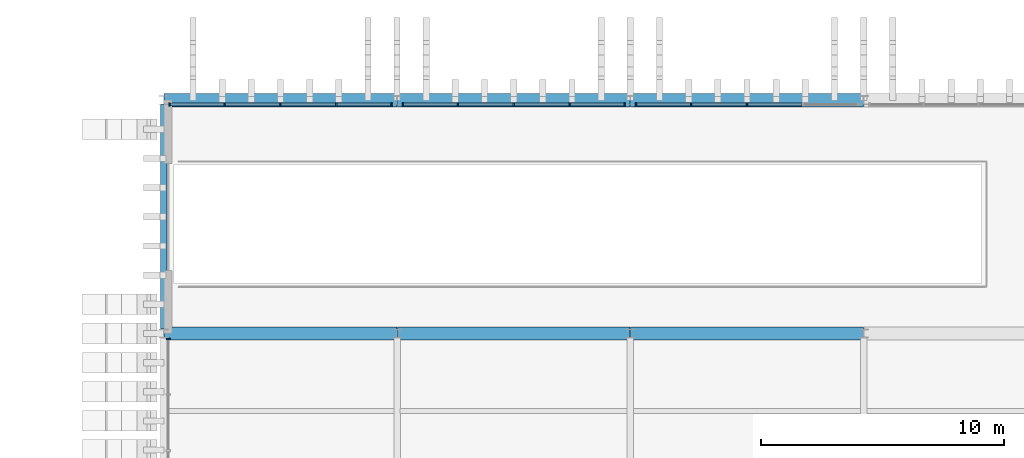
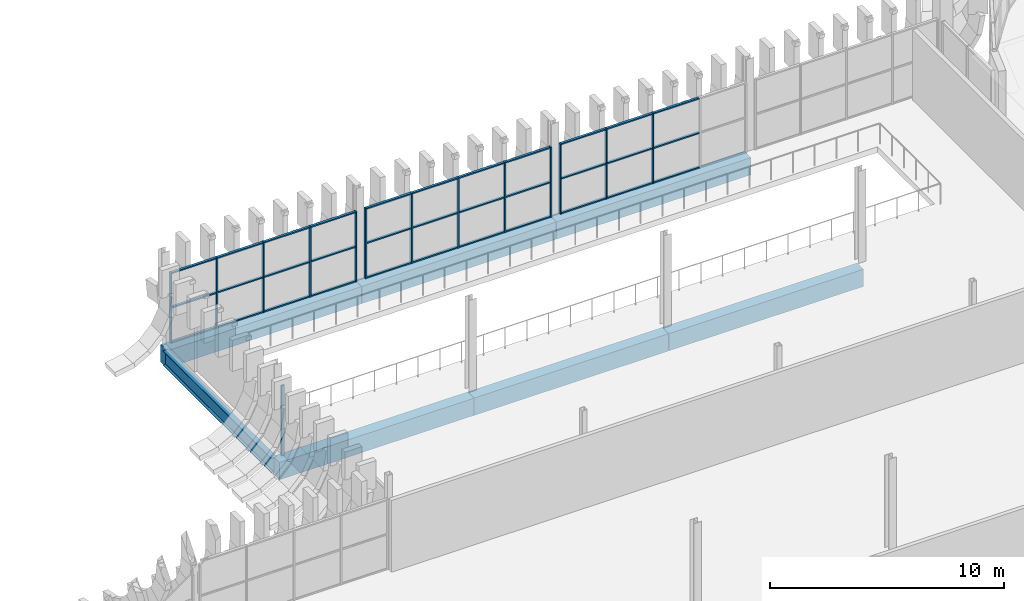
# One storey, part 25 of 100: 47 members, 7 beams, 4 elements without a shape of their own.
"""IFC4 building model written with IfcOpenShell, lengths in metres."""

import ifcopenshell
import ifcopenshell.guid

model = None  # the IFC model being written
_history = None  # IfcOwnerHistory: only IFC2X3 demands one
_inside = {}  # id of a spatial element -> (the spatial element, [elements in it])
_under = {}  # id of a project, library or spatial element -> (it, [spatial elements below it])
_declared = {}  # id of a project -> (the project, [libraries it declares])
_typed = {}  # id of a type object -> (the type object, [elements of that type])
_made_of = {}  # id of a material, layer set ... -> (it, [elements and type objects made of it])


def new_model(schema):
    """Start an empty IFC model of exactly this schema.

    Asked for "IFC4X3", IfcOpenShell would pick the latest addendum, in which some entities
    have other attributes; the version numbers below select the first issue.
    IFC2X3 requires an IfcOwnerHistory on every rooted entity: one is made here for all.
    """
    global model, _history
    if schema == "IFC4X3":
        model = ifcopenshell.file(schema_version=(4, 3, 0, 0))
    else:
        model = ifcopenshell.file(schema=schema)
    _inside.clear()
    _under.clear()
    _declared.clear()
    _typed.clear()
    _made_of.clear()
    _history = None
    if model.schema == "IFC2X3":
        org = make("IfcOrganization", Name="unknown")
        user = make(
            "IfcPersonAndOrganization",
            ThePerson=make("IfcPerson", FamilyName="unknown"),
            TheOrganization=org,
        )
        app = make(
            "IfcApplication",
            ApplicationDeveloper=org,
            Version="unknown",
            ApplicationFullName="unknown",
            ApplicationIdentifier="unknown",
        )
        _history = make(
            "IfcOwnerHistory",
            OwningUser=user,
            OwningApplication=app,
            ChangeAction="ADDED",
            CreationDate=0,
        )
    return model


def make(cls, **values):
    """One entity of the class cls with the attributes given. An attribute that is None is left unset."""
    return model.create_entity(
        cls, **{name: value for name, value in values.items() if value is not None}
    )


def rooted(cls, **values):
    """An entity with a GlobalId (a new one), such as an element, a storey or a relation."""
    return make(cls, GlobalId=ifcopenshell.guid.new(), OwnerHistory=_history, **values)


def si_unit(unit_type, name, prefix=None):
    """IfcSIUnit, for example si_unit("LENGTHUNIT", "METRE", prefix="MILLI")."""
    return make("IfcSIUnit", UnitType=unit_type, Prefix=prefix, Name=name)


def assignment(units):
    """IfcUnitAssignment: the units of a project."""
    return None if units is None else make("IfcUnitAssignment", Units=units)


def point(xyz):
    """IfcCartesianPoint."""
    return None if xyz is None else make("IfcCartesianPoint", Coordinates=xyz)


def direction(xyz):
    """IfcDirection."""
    return None if xyz is None else make("IfcDirection", DirectionRatios=xyz)


def frame(location, z_axis=None, x_axis=None):
    """IfcAxis2Placement3D, a coordinate frame: its origin and axes. An axis left out is left unset."""
    return make(
        "IfcAxis2Placement3D",
        Location=point(location),
        Axis=direction(z_axis),
        RefDirection=direction(x_axis),
    )


def frame_2d(location, x_axis=None):
    """IfcAxis2Placement2D, a coordinate frame in the plane: its origin and x axis."""
    return make(
        "IfcAxis2Placement2D", Location=point(location), RefDirection=direction(x_axis)
    )


def origin():
    """The frame at (0, 0, 0) with its axes left unset."""
    return frame((0.0, 0.0, 0.0))


def origin_2d():
    """The frame at (0, 0) in the plane with its x axis left unset."""
    return frame_2d((0.0, 0.0))


def place(relative_to, where):
    """IfcLocalPlacement: puts the frame where relative to a parent placement (None: the world)."""
    return make(
        "IfcLocalPlacement", PlacementRelTo=relative_to, RelativePlacement=where
    )


def context(
    kind, dimensions, precision=None, world=None, true_north=None, identifier=None
):
    """IfcGeometricRepresentationContext, for example the 3D "Model" context."""
    return make(
        "IfcGeometricRepresentationContext",
        ContextIdentifier=identifier,
        ContextType=kind,
        CoordinateSpaceDimension=dimensions,
        Precision=precision,
        WorldCoordinateSystem=world,
        TrueNorth=true_north,
    )


def subcontext(parent, identifier, kind, view, scale=None):
    """IfcGeometricRepresentationSubContext, for example "Body" below "Model"."""
    return make(
        "IfcGeometricRepresentationSubContext",
        ContextIdentifier=identifier,
        ContextType=kind,
        ParentContext=parent,
        TargetScale=scale,
        TargetView=view,
    )


def project(units=None, contexts=None):
    """IfcProject with its units and contexts."""
    return rooted(
        "IfcProject",
        Name="project",
        RepresentationContexts=contexts,
        UnitsInContext=assignment(units),
    )


def spatial(cls, under=None, at=None, **own):
    """A site, building, storey or space (cls), placed at a placement, below another one or the project."""
    s = rooted(cls, ObjectPlacement=at, **own)
    if under is not None:
        _under.setdefault(under.id(), (under, []))[1].append(s)
    return s


def profile(cls, at=None, kind="AREA", **sizes):
    """A parametric profile (cls). Its sizes go by their IFC names, for example OverallWidth=200.0."""
    return make(cls, ProfileType=kind, Position=at, **sizes)


def rectangle(**sizes):
    """IfcRectangleProfileDef."""
    return profile("IfcRectangleProfileDef", **sizes)


def i_section(**sizes):
    """IfcIShapeProfileDef."""
    return profile("IfcIShapeProfileDef", **sizes)


def extrude(swept, where, along, depth):
    """IfcExtrudedAreaSolid: the profile swept, set in the frame where, extruded along a direction by depth."""
    return make(
        "IfcExtrudedAreaSolid",
        SweptArea=swept,
        Position=where,
        ExtrudedDirection=direction(along),
        Depth=depth,
    )


def shape(context_of_items, identifier, shape_type, items):
    """IfcShapeRepresentation: the items that make up one representation, for example the "Body"."""
    return make(
        "IfcShapeRepresentation",
        ContextOfItems=context_of_items,
        RepresentationIdentifier=identifier,
        RepresentationType=shape_type,
        Items=items,
    )


def material(Name=None, Category=None):
    """IfcMaterial."""
    return make("IfcMaterial", Name=Name, Category=Category)


def layer(
    of_material, thickness, ventilated=None, Name=None, Category=None, Priority=None
):
    """IfcMaterialLayer: one layer of a wall or slab, of a material (None: an air gap)."""
    return make(
        "IfcMaterialLayer",
        Material=of_material,
        LayerThickness=thickness,
        IsVentilated=ventilated,
        Name=Name,
        Category=Category,
        Priority=Priority,
    )


def layer_set(layers, Name=None):
    """IfcMaterialLayerSet."""
    return make("IfcMaterialLayerSet", MaterialLayers=layers, LayerSetName=Name)


def material_profile(
    of_material, cross_section, Name=None, Category=None, Priority=None
):
    """IfcMaterialProfile: a cross section and its material."""
    return make(
        "IfcMaterialProfile",
        Name=Name,
        Material=of_material,
        Profile=cross_section,
        Priority=Priority,
        Category=Category,
    )


def profile_set(profiles, Name=None, composite=None):
    """IfcMaterialProfileSet."""
    return make(
        "IfcMaterialProfileSet",
        Name=Name,
        MaterialProfiles=profiles,
        CompositeProfile=composite,
    )


def made_of(thing, what):
    """Note that an element or type object is made of a material, layer set ...; save() writes the relation."""
    if what is not None:
        _made_of.setdefault(what.id(), (what, []))[1].append(thing)
    return thing


def type_object(cls, material=None, **own):
    """A type object (cls), such as IfcWallType, which elements share."""
    return made_of(rooted(cls, **own), material)


def element(
    cls,
    number,
    at=None,
    inside=None,
    cuts=None,
    type_object=None,
    material=None,
    context=None,
    identifier="Body",
    shape_type=None,
    held_by="IfcProductDefinitionShape",
    body=None,
    shapes=None,
    **own,
):
    """One element of the class cls, such as IfcWall. Its Tag is "e" and its number.

    at: its placement. inside: the storey or other place that contains it. cuts: it is an
    opening in that element (IfcRelVoidsElement). A single representation is given by context,
    identifier, shape_type and body (its items); several are given by shapes. held_by: the class
    of the entity that holds the representations. save() writes the other relations.
    """
    e = rooted(cls, Tag="e%d" % number, ObjectPlacement=at, **own)
    if body is not None:
        shapes = [shape(context, identifier, shape_type, body)]
    if shapes is not None:
        e.Representation = make(held_by, Representations=shapes)
    if inside is not None:
        _inside.setdefault(inside.id(), (inside, []))[1].append(e)
    if cuts is not None:
        rooted(
            "IfcRelVoidsElement", RelatingBuildingElement=cuts, RelatedOpeningElement=e
        )
    if type_object is not None:
        _typed.setdefault(type_object.id(), (type_object, []))[1].append(e)
    return made_of(e, material)


def aggregate(whole, parts):
    """IfcRelAggregates: a whole, such as a stair, and the parts it consists of."""
    return rooted("IfcRelAggregates", RelatingObject=whole, RelatedObjects=parts)


def save(model, path):
    """Write the relations noted so far, then the file.

    IfcRelAggregates (storeys below a building ...), IfcRelContainedInSpatialStructure (elements
    in a storey), IfcRelDefinesByType, IfcRelAssociatesMaterial and IfcRelDeclares: one each for
    every whole, place, type object, material and project.
    """
    for whole, parts in _under.values():
        aggregate(whole, parts)
    for where, things in _inside.values():
        rooted(
            "IfcRelContainedInSpatialStructure",
            RelatedElements=things,
            RelatingStructure=where,
        )
    for kind, things in _typed.values():
        rooted("IfcRelDefinesByType", RelatedObjects=things, RelatingType=kind)
    for what, things in _made_of.values():
        rooted("IfcRelAssociatesMaterial", RelatedObjects=things, RelatingMaterial=what)
    for by, libraries in _declared.values():
        rooted("IfcRelDeclares", RelatingContext=by, RelatedDefinitions=libraries)
    model.write(path)


model = new_model("IFC4")

# Units and contexts
model_context = context("Model", 3, precision=1e-05, world=origin(), true_north=direction((0.0, 1.0)))
body_context = subcontext(model_context, "Body", "Model", "MODEL_VIEW")
ifc_project = project(units=[si_unit("LENGTHUNIT", "METRE"), si_unit("AREAUNIT", "SQUARE_METRE"), si_unit("VOLUMEUNIT", "CUBIC_METRE"), si_unit("PLANEANGLEUNIT", "RADIAN"), si_unit("MASSUNIT", "GRAM", prefix="KILO")], contexts=[model_context])

# Site, building, storey
site_placement = place(None, origin())
site = spatial("IfcSite", under=ifc_project, at=site_placement, CompositionType="ELEMENT")
building_placement = place(site_placement, origin())
building = spatial("IfcBuilding", under=site, at=building_placement, Name="Caelomonte Colonnade Arena", CompositionType="ELEMENT")
storey_placement = place(building_placement, origin())
storey = spatial("IfcBuildingStorey", under=building, at=storey_placement, Name="L00", CompositionType="ELEMENT", Elevation=0.0)

# Curtain wall, members
ifc_material_1 = material(Name="Bronze anodised aluminium and low-E glazing", Category="aluminium")
ifc_layer = layer(ifc_material_1, 0.179931640625)
ifc_layer_set = layer_set([ifc_layer], Name="Bronze anodised aluminium and low-E glazing")
curtain_wall_type = type_object("IfcCurtainWallType", Name="ENV-CW-CW-L00-96-37", PredefinedType="USERDEFINED", material=ifc_layer_set)
curtain_wall_1_placement = place(storey_placement, origin())
curtain_wall_1 = element("IfcCurtainWall", 1, at=curtain_wall_1_placement, inside=storey, type_object=curtain_wall_type, Name="L00 unitized curtain wall CW-L00-0432-1054", ObjectType="UNITIZED CURTAIN WALL", PredefinedType="USERDEFINED")
ifc_material_2 = material(Name="Bronze anodised aluminium AA6063-T6", Category="aluminium")
ifc_material_profile_1 = material_profile(ifc_material_2, rectangle(XDim=0.06494140625, YDim=0.14990234375, at=origin_2d()), Name="CWM-65X150")
ifc_profile_set_1 = profile_set([ifc_material_profile_1], Name="Bronze anodised aluminium AA6063-T6")
member_type_1 = type_object("IfcMemberType", Name="ENV-CW-MULL2", PredefinedType="MULLION", material=ifc_profile_set_1)
member_1_placement = place(storey_placement, frame((43.199951171875, 105.419921875, 0.0), z_axis=(0.0, 0.0, 1.0), x_axis=(-1.0, 0.0, 0.0)))
member_1 = element("IfcMember", 2, at=member_1_placement, type_object=member_type_1, Name="CW-L00-96-37 mullion 3", PredefinedType="MULLION", context=body_context, shape_type="SweptSolid", body=[
    extrude(rectangle(XDim=0.06494140625, YDim=0.14990234375, at=origin_2d()), origin(), (0.0, 0.0, 1.0), 3.664306640625),
])
member_2_placement = place(storey_placement, frame((40.902099609375, 105.419921875, 0.0), z_axis=(0.0, 0.0, 1.0), x_axis=(-1.0, 0.0, 0.0)))
member_2 = element("IfcMember", 3, at=member_2_placement, type_object=member_type_1, Name="CW-L00-96-37 mullion 4", PredefinedType="MULLION", context=body_context, shape_type="SweptSolid", body=[
    extrude(rectangle(XDim=0.06494140625, YDim=0.14990234375, at=origin_2d()), origin(), (0.0, 0.0, 1.0), 3.664306640625),
])
member_3_placement = place(storey_placement, frame((38.636962890625, 105.419921875, 0.0), z_axis=(0.0, 0.0, 1.0), x_axis=(-1.0, 0.0, 0.0)))
member_3 = element("IfcMember", 4, at=member_3_placement, type_object=member_type_1, Name="CW-L00-96-37 mullion 5", PredefinedType="MULLION", context=body_context, shape_type="SweptSolid", body=[
    extrude(rectangle(XDim=0.06494140625, YDim=0.14990234375, at=origin_2d()), origin(), (0.0, 0.0, 1.0), 3.664306640625),
])

curtain_wall_2_placement = place(storey_placement, origin())
curtain_wall_2 = element("IfcCurtainWall", 5, at=curtain_wall_2_placement, inside=storey, type_object=curtain_wall_type, Name="L00 unitized curtain wall CW-L00-0336-1054", ObjectType="UNITIZED CURTAIN WALL", PredefinedType="USERDEFINED")
member_4_placement = place(storey_placement, frame((38.1630859375, 105.419921875, 0.0), z_axis=(0.0, 0.0, 1.0), x_axis=(-1.0, 0.0, 0.0)))
member_4 = element("IfcMember", 6, at=member_4_placement, type_object=member_type_1, Name="CW-L00-96-37 mullion 1", PredefinedType="MULLION", context=body_context, shape_type="SweptSolid", body=[
    extrude(rectangle(XDim=0.06494140625, YDim=0.14990234375, at=origin_2d()), origin(), (0.0, 0.0, 1.0), 3.664306640625),
])
member_5_placement = place(storey_placement, frame((35.897705078125, 105.419921875, 0.0), z_axis=(0.0, 0.0, 1.0), x_axis=(-1.0, 0.0, 0.0)))
member_5 = element("IfcMember", 7, at=member_5_placement, type_object=member_type_1, Name="CW-L00-96-37 mullion 2", PredefinedType="MULLION", context=body_context, shape_type="SweptSolid", body=[
    extrude(rectangle(XDim=0.06494140625, YDim=0.14990234375, at=origin_2d()), origin(), (0.0, 0.0, 1.0), 3.664306640625),
])
member_6_placement = place(storey_placement, frame((33.60009765625, 105.419921875, 0.0), z_axis=(0.0, 0.0, 1.0), x_axis=(-1.0, 0.0, 0.0)))
member_6 = element("IfcMember", 8, at=member_6_placement, type_object=member_type_1, Name="CW-L00-96-37 mullion 3", PredefinedType="MULLION", context=body_context, shape_type="SweptSolid", body=[
    extrude(rectangle(XDim=0.06494140625, YDim=0.14990234375, at=origin_2d()), origin(), (0.0, 0.0, 1.0), 3.664306640625),
])
member_7_placement = place(storey_placement, frame((31.30224609375, 105.419921875, 0.0), z_axis=(0.0, 0.0, 1.0), x_axis=(-1.0, 0.0, 0.0)))
member_7 = element("IfcMember", 9, at=member_7_placement, type_object=member_type_1, Name="CW-L00-96-37 mullion 4", PredefinedType="MULLION", context=body_context, shape_type="SweptSolid", body=[
    extrude(rectangle(XDim=0.06494140625, YDim=0.14990234375, at=origin_2d()), origin(), (0.0, 0.0, 1.0), 3.664306640625),
])
member_8_placement = place(storey_placement, frame((29.036865234375, 105.419921875, 0.0), z_axis=(0.0, 0.0, 1.0), x_axis=(-1.0, 0.0, 0.0)))
member_8 = element("IfcMember", 10, at=member_8_placement, type_object=member_type_1, Name="CW-L00-96-37 mullion 5", PredefinedType="MULLION", context=body_context, shape_type="SweptSolid", body=[
    extrude(rectangle(XDim=0.06494140625, YDim=0.14990234375, at=origin_2d()), origin(), (0.0, 0.0, 1.0), 3.664306640625),
])

curtain_wall_3_placement = place(storey_placement, origin())
curtain_wall_3 = element("IfcCurtainWall", 11, at=curtain_wall_3_placement, inside=storey, type_object=curtain_wall_type, Name="L00 unitized curtain wall CW-L00-0240-1054", ObjectType="UNITIZED CURTAIN WALL", PredefinedType="USERDEFINED")
member_9_placement = place(storey_placement, frame((28.56298828125, 105.419921875, 0.0), z_axis=(0.0, 0.0, 1.0), x_axis=(-1.0, 0.0, 0.0)))
member_9 = element("IfcMember", 12, at=member_9_placement, type_object=member_type_1, Name="CW-L00-96-37 mullion 1", PredefinedType="MULLION", context=body_context, shape_type="SweptSolid", body=[
    extrude(rectangle(XDim=0.06494140625, YDim=0.14990234375, at=origin_2d()), origin(), (0.0, 0.0, 1.0), 3.664306640625),
])
member_10_placement = place(storey_placement, frame((26.2978515625, 105.419921875, 0.0), z_axis=(0.0, 0.0, 1.0), x_axis=(-1.0, 0.0, 0.0)))
member_10 = element("IfcMember", 13, at=member_10_placement, type_object=member_type_1, Name="CW-L00-96-37 mullion 2", PredefinedType="MULLION", context=body_context, shape_type="SweptSolid", body=[
    extrude(rectangle(XDim=0.06494140625, YDim=0.14990234375, at=origin_2d()), origin(), (0.0, 0.0, 1.0), 3.664306640625),
])
member_11_placement = place(storey_placement, frame((24.0, 105.419921875, 0.0), z_axis=(0.0, 0.0, 1.0), x_axis=(-1.0, 0.0, 0.0)))
member_11 = element("IfcMember", 14, at=member_11_placement, type_object=member_type_1, Name="CW-L00-96-37 mullion 3", PredefinedType="MULLION", context=body_context, shape_type="SweptSolid", body=[
    extrude(rectangle(XDim=0.06494140625, YDim=0.14990234375, at=origin_2d()), origin(), (0.0, 0.0, 1.0), 3.664306640625),
])
member_12_placement = place(storey_placement, frame((21.7021484375, 105.419921875, 0.0), z_axis=(0.0, 0.0, 1.0), x_axis=(-1.0, 0.0, 0.0)))
member_12 = element("IfcMember", 15, at=member_12_placement, type_object=member_type_1, Name="CW-L00-96-37 mullion 4", PredefinedType="MULLION", context=body_context, shape_type="SweptSolid", body=[
    extrude(rectangle(XDim=0.06494140625, YDim=0.14990234375, at=origin_2d()), origin(), (0.0, 0.0, 1.0), 3.664306640625),
])
member_13_placement = place(storey_placement, frame((19.43701171875, 105.419921875, 0.0), z_axis=(0.0, 0.0, 1.0), x_axis=(-1.0, 0.0, 0.0)))
member_13 = element("IfcMember", 16, at=member_13_placement, type_object=member_type_1, Name="CW-L00-96-37 mullion 5", PredefinedType="MULLION", context=body_context, shape_type="SweptSolid", body=[
    extrude(rectangle(XDim=0.06494140625, YDim=0.14990234375, at=origin_2d()), origin(), (0.0, 0.0, 1.0), 3.664306640625),
])

# Curtain wall, member
curtain_wall_4_placement = place(storey_placement, origin())
curtain_wall_4 = element("IfcCurtainWall", 17, at=curtain_wall_4_placement, inside=storey, type_object=curtain_wall_type, Name="L00 unitized curtain wall CW-L00-0194-0912", ObjectType="UNITIZED CURTAIN WALL", PredefinedType="USERDEFINED")
member_14_placement = place(storey_placement, frame((19.3798828125, 95.76318359375, 0.0), z_axis=(0.0, 0.0, 1.0), x_axis=(0.0, -1.0, 0.0)))
member_14 = element("IfcMember", 18, at=member_14_placement, type_object=member_type_1, Name="CW-L00-96-37 mullion 1", PredefinedType="MULLION", context=body_context, shape_type="SweptSolid", body=[
    extrude(rectangle(XDim=0.06494140625, YDim=0.14990234375, at=origin_2d()), origin(), (0.0, 0.0, 1.0), 3.664306640625),
])
aggregate(curtain_wall_4, [member_14])

# Member
ifc_material_profile_2 = material_profile(ifc_material_2, rectangle(XDim=0.06494140625, YDim=0.1201171875, at=origin_2d()), Name="CWT-65X120")
ifc_profile_set_2 = profile_set([ifc_material_profile_2], Name="Bronze anodised aluminium AA6063-T6")
member_type_2 = type_object("IfcMemberType", Name="ENV-CW-TRAN2", PredefinedType="USERDEFINED", material=ifc_profile_set_2)
member_15_placement = place(storey_placement, frame((45.46533203125, 105.419921875, 0.032470703125), z_axis=(-1.0, 0.0, 0.0), x_axis=(0.0, 0.0, 1.0)))
member_15 = element("IfcMember", 19, at=member_15_placement, type_object=member_type_2, Name="CW-L00-96-37 transom 2.1", ObjectType="TRANSOM", PredefinedType="USERDEFINED", context=body_context, shape_type="SweptSolid", body=[
    extrude(rectangle(XDim=0.06494140625, YDim=0.1201171875, at=origin_2d()), origin(), (0.0, 0.0, 1.0), 2.23291015625),
])

member_16_placement = place(storey_placement, frame((45.46533203125, 105.419921875, 1.832275390625), z_axis=(-1.0, 0.0, 0.0), x_axis=(0.0, 0.0, 1.0)))
member_16 = element("IfcMember", 20, at=member_16_placement, type_object=member_type_2, Name="CW-L00-96-37 transom 2.2", ObjectType="TRANSOM", PredefinedType="USERDEFINED", context=body_context, shape_type="SweptSolid", body=[
    extrude(rectangle(XDim=0.06494140625, YDim=0.1201171875, at=origin_2d()), origin(), (0.0, 0.0, 1.0), 2.23291015625),
])

member_17_placement = place(storey_placement, frame((45.46533203125, 105.419921875, 3.6318359375), z_axis=(-1.0, 0.0, 0.0), x_axis=(0.0, 0.0, 1.0)))
member_17 = element("IfcMember", 21, at=member_17_placement, type_object=member_type_2, Name="CW-L00-96-37 transom 2.3", ObjectType="TRANSOM", PredefinedType="USERDEFINED", context=body_context, shape_type="SweptSolid", body=[
    extrude(rectangle(XDim=0.06494140625, YDim=0.1201171875, at=origin_2d()), origin(), (0.0, 0.0, 1.0), 2.23291015625),
])

member_18_placement = place(storey_placement, frame((43.16748046875, 105.419921875, 0.032470703125), z_axis=(-1.0, 0.0, 0.0), x_axis=(0.0, 0.0, 1.0)))
member_18 = element("IfcMember", 22, at=member_18_placement, type_object=member_type_2, Name="CW-L00-96-37 transom 3.1", ObjectType="TRANSOM", PredefinedType="USERDEFINED", context=body_context, shape_type="SweptSolid", body=[
    extrude(rectangle(XDim=0.06494140625, YDim=0.1201171875, at=origin_2d()), origin(), (0.0, 0.0, 1.0), 2.232666015625),
])

member_19_placement = place(storey_placement, frame((43.16748046875, 105.419921875, 1.832275390625), z_axis=(-1.0, 0.0, 0.0), x_axis=(0.0, 0.0, 1.0)))
member_19 = element("IfcMember", 23, at=member_19_placement, type_object=member_type_2, Name="CW-L00-96-37 transom 3.2", ObjectType="TRANSOM", PredefinedType="USERDEFINED", context=body_context, shape_type="SweptSolid", body=[
    extrude(rectangle(XDim=0.06494140625, YDim=0.1201171875, at=origin_2d()), origin(), (0.0, 0.0, 1.0), 2.232666015625),
])

member_20_placement = place(storey_placement, frame((43.16748046875, 105.419921875, 3.6318359375), z_axis=(-1.0, 0.0, 0.0), x_axis=(0.0, 0.0, 1.0)))
member_20 = element("IfcMember", 24, at=member_20_placement, type_object=member_type_2, Name="CW-L00-96-37 transom 3.3", ObjectType="TRANSOM", PredefinedType="USERDEFINED", context=body_context, shape_type="SweptSolid", body=[
    extrude(rectangle(XDim=0.06494140625, YDim=0.1201171875, at=origin_2d()), origin(), (0.0, 0.0, 1.0), 2.232666015625),
])

member_21_placement = place(storey_placement, frame((40.86962890625, 105.419921875, 0.032470703125), z_axis=(-1.0, 0.0, 0.0), x_axis=(0.0, 0.0, 1.0)))
member_21 = element("IfcMember", 25, at=member_21_placement, type_object=member_type_2, Name="CW-L00-96-37 transom 4.1", ObjectType="TRANSOM", PredefinedType="USERDEFINED", context=body_context, shape_type="SweptSolid", body=[
    extrude(rectangle(XDim=0.06494140625, YDim=0.1201171875, at=origin_2d()), origin(), (0.0, 0.0, 1.0), 2.2001953125),
])

member_22_placement = place(storey_placement, frame((40.86962890625, 105.419921875, 1.832275390625), z_axis=(-1.0, 0.0, 0.0), x_axis=(0.0, 0.0, 1.0)))
member_22 = element("IfcMember", 26, at=member_22_placement, type_object=member_type_2, Name="CW-L00-96-37 transom 4.2", ObjectType="TRANSOM", PredefinedType="USERDEFINED", context=body_context, shape_type="SweptSolid", body=[
    extrude(rectangle(XDim=0.06494140625, YDim=0.1201171875, at=origin_2d()), origin(), (0.0, 0.0, 1.0), 2.2001953125),
])

member_23_placement = place(storey_placement, frame((40.86962890625, 105.419921875, 3.6318359375), z_axis=(-1.0, 0.0, 0.0), x_axis=(0.0, 0.0, 1.0)))
member_23 = element("IfcMember", 27, at=member_23_placement, type_object=member_type_2, Name="CW-L00-96-37 transom 4.3", ObjectType="TRANSOM", PredefinedType="USERDEFINED", context=body_context, shape_type="SweptSolid", body=[
    extrude(rectangle(XDim=0.06494140625, YDim=0.1201171875, at=origin_2d()), origin(), (0.0, 0.0, 1.0), 2.2001953125),
])

aggregate(curtain_wall_1, [member_1, member_2, member_3, member_15, member_16, member_17, member_18, member_19, member_20, member_21, member_22, member_23])

member_24_placement = place(storey_placement, frame((38.130615234375, 105.419921875, 0.032470703125), z_axis=(-1.0, 0.0, 0.0), x_axis=(0.0, 0.0, 1.0)))
member_24 = element("IfcMember", 28, at=member_24_placement, type_object=member_type_2, Name="CW-L00-96-37 transom 1.1", ObjectType="TRANSOM", PredefinedType="USERDEFINED", context=body_context, shape_type="SweptSolid", body=[
    extrude(rectangle(XDim=0.06494140625, YDim=0.1201171875, at=origin_2d()), origin(), (0.0, 0.0, 1.0), 2.2001953125),
])

member_25_placement = place(storey_placement, frame((38.130615234375, 105.419921875, 1.832275390625), z_axis=(-1.0, 0.0, 0.0), x_axis=(0.0, 0.0, 1.0)))
member_25 = element("IfcMember", 29, at=member_25_placement, type_object=member_type_2, Name="CW-L00-96-37 transom 1.2", ObjectType="TRANSOM", PredefinedType="USERDEFINED", context=body_context, shape_type="SweptSolid", body=[
    extrude(rectangle(XDim=0.06494140625, YDim=0.1201171875, at=origin_2d()), origin(), (0.0, 0.0, 1.0), 2.2001953125),
])

member_26_placement = place(storey_placement, frame((38.130615234375, 105.419921875, 3.6318359375), z_axis=(-1.0, 0.0, 0.0), x_axis=(0.0, 0.0, 1.0)))
member_26 = element("IfcMember", 30, at=member_26_placement, type_object=member_type_2, Name="CW-L00-96-37 transom 1.3", ObjectType="TRANSOM", PredefinedType="USERDEFINED", context=body_context, shape_type="SweptSolid", body=[
    extrude(rectangle(XDim=0.06494140625, YDim=0.1201171875, at=origin_2d()), origin(), (0.0, 0.0, 1.0), 2.2001953125),
])

member_27_placement = place(storey_placement, frame((35.865234375, 105.419921875, 0.032470703125), z_axis=(-1.0, 0.0, 0.0), x_axis=(0.0, 0.0, 1.0)))
member_27 = element("IfcMember", 31, at=member_27_placement, type_object=member_type_2, Name="CW-L00-96-37 transom 2.1", ObjectType="TRANSOM", PredefinedType="USERDEFINED", context=body_context, shape_type="SweptSolid", body=[
    extrude(rectangle(XDim=0.06494140625, YDim=0.1201171875, at=origin_2d()), origin(), (0.0, 0.0, 1.0), 2.232666015625),
])

member_28_placement = place(storey_placement, frame((35.865234375, 105.419921875, 1.832275390625), z_axis=(-1.0, 0.0, 0.0), x_axis=(0.0, 0.0, 1.0)))
member_28 = element("IfcMember", 32, at=member_28_placement, type_object=member_type_2, Name="CW-L00-96-37 transom 2.2", ObjectType="TRANSOM", PredefinedType="USERDEFINED", context=body_context, shape_type="SweptSolid", body=[
    extrude(rectangle(XDim=0.06494140625, YDim=0.1201171875, at=origin_2d()), origin(), (0.0, 0.0, 1.0), 2.232666015625),
])

member_29_placement = place(storey_placement, frame((35.865234375, 105.419921875, 3.6318359375), z_axis=(-1.0, 0.0, 0.0), x_axis=(0.0, 0.0, 1.0)))
member_29 = element("IfcMember", 33, at=member_29_placement, type_object=member_type_2, Name="CW-L00-96-37 transom 2.3", ObjectType="TRANSOM", PredefinedType="USERDEFINED", context=body_context, shape_type="SweptSolid", body=[
    extrude(rectangle(XDim=0.06494140625, YDim=0.1201171875, at=origin_2d()), origin(), (0.0, 0.0, 1.0), 2.232666015625),
])

member_30_placement = place(storey_placement, frame((33.5673828125, 105.419921875, 0.032470703125), z_axis=(-1.0, 0.0, 0.0), x_axis=(0.0, 0.0, 1.0)))
member_30 = element("IfcMember", 34, at=member_30_placement, type_object=member_type_2, Name="CW-L00-96-37 transom 3.1", ObjectType="TRANSOM", PredefinedType="USERDEFINED", context=body_context, shape_type="SweptSolid", body=[
    extrude(rectangle(XDim=0.06494140625, YDim=0.1201171875, at=origin_2d()), origin(), (0.0, 0.0, 1.0), 2.232666015625),
])

member_31_placement = place(storey_placement, frame((33.5673828125, 105.419921875, 1.832275390625), z_axis=(-1.0, 0.0, 0.0), x_axis=(0.0, 0.0, 1.0)))
member_31 = element("IfcMember", 35, at=member_31_placement, type_object=member_type_2, Name="CW-L00-96-37 transom 3.2", ObjectType="TRANSOM", PredefinedType="USERDEFINED", context=body_context, shape_type="SweptSolid", body=[
    extrude(rectangle(XDim=0.06494140625, YDim=0.1201171875, at=origin_2d()), origin(), (0.0, 0.0, 1.0), 2.232666015625),
])

member_32_placement = place(storey_placement, frame((33.5673828125, 105.419921875, 3.6318359375), z_axis=(-1.0, 0.0, 0.0), x_axis=(0.0, 0.0, 1.0)))
member_32 = element("IfcMember", 36, at=member_32_placement, type_object=member_type_2, Name="CW-L00-96-37 transom 3.3", ObjectType="TRANSOM", PredefinedType="USERDEFINED", context=body_context, shape_type="SweptSolid", body=[
    extrude(rectangle(XDim=0.06494140625, YDim=0.1201171875, at=origin_2d()), origin(), (0.0, 0.0, 1.0), 2.232666015625),
])

member_33_placement = place(storey_placement, frame((31.269775390625, 105.419921875, 0.032470703125), z_axis=(-1.0, 0.0, 0.0), x_axis=(0.0, 0.0, 1.0)))
member_33 = element("IfcMember", 37, at=member_33_placement, type_object=member_type_2, Name="CW-L00-96-37 transom 4.1", ObjectType="TRANSOM", PredefinedType="USERDEFINED", context=body_context, shape_type="SweptSolid", body=[
    extrude(rectangle(XDim=0.06494140625, YDim=0.1201171875, at=origin_2d()), origin(), (0.0, 0.0, 1.0), 2.200439453125),
])

member_34_placement = place(storey_placement, frame((31.269775390625, 105.419921875, 1.832275390625), z_axis=(-1.0, 0.0, 0.0), x_axis=(0.0, 0.0, 1.0)))
member_34 = element("IfcMember", 38, at=member_34_placement, type_object=member_type_2, Name="CW-L00-96-37 transom 4.2", ObjectType="TRANSOM", PredefinedType="USERDEFINED", context=body_context, shape_type="SweptSolid", body=[
    extrude(rectangle(XDim=0.06494140625, YDim=0.1201171875, at=origin_2d()), origin(), (0.0, 0.0, 1.0), 2.200439453125),
])

member_35_placement = place(storey_placement, frame((31.269775390625, 105.419921875, 3.6318359375), z_axis=(-1.0, 0.0, 0.0), x_axis=(0.0, 0.0, 1.0)))
member_35 = element("IfcMember", 39, at=member_35_placement, type_object=member_type_2, Name="CW-L00-96-37 transom 4.3", ObjectType="TRANSOM", PredefinedType="USERDEFINED", context=body_context, shape_type="SweptSolid", body=[
    extrude(rectangle(XDim=0.06494140625, YDim=0.1201171875, at=origin_2d()), origin(), (0.0, 0.0, 1.0), 2.200439453125),
])

aggregate(curtain_wall_2, [member_4, member_5, member_6, member_7, member_8, member_24, member_25, member_26, member_27, member_28, member_29, member_30, member_31, member_32, member_33, member_34, member_35])

member_36_placement = place(storey_placement, frame((28.530517578125, 105.419921875, 0.032470703125), z_axis=(-1.0, 0.0, 0.0), x_axis=(0.0, 0.0, 1.0)))
member_36 = element("IfcMember", 40, at=member_36_placement, type_object=member_type_2, Name="CW-L00-96-37 transom 1.1", ObjectType="TRANSOM", PredefinedType="USERDEFINED", context=body_context, shape_type="SweptSolid", body=[
    extrude(rectangle(XDim=0.06494140625, YDim=0.1201171875, at=origin_2d()), origin(), (0.0, 0.0, 1.0), 2.2001953125),
])

member_37_placement = place(storey_placement, frame((28.530517578125, 105.419921875, 1.832275390625), z_axis=(-1.0, 0.0, 0.0), x_axis=(0.0, 0.0, 1.0)))
member_37 = element("IfcMember", 41, at=member_37_placement, type_object=member_type_2, Name="CW-L00-96-37 transom 1.2", ObjectType="TRANSOM", PredefinedType="USERDEFINED", context=body_context, shape_type="SweptSolid", body=[
    extrude(rectangle(XDim=0.06494140625, YDim=0.1201171875, at=origin_2d()), origin(), (0.0, 0.0, 1.0), 2.2001953125),
])

member_38_placement = place(storey_placement, frame((28.530517578125, 105.419921875, 3.6318359375), z_axis=(-1.0, 0.0, 0.0), x_axis=(0.0, 0.0, 1.0)))
member_38 = element("IfcMember", 42, at=member_38_placement, type_object=member_type_2, Name="CW-L00-96-37 transom 1.3", ObjectType="TRANSOM", PredefinedType="USERDEFINED", context=body_context, shape_type="SweptSolid", body=[
    extrude(rectangle(XDim=0.06494140625, YDim=0.1201171875, at=origin_2d()), origin(), (0.0, 0.0, 1.0), 2.2001953125),
])

member_39_placement = place(storey_placement, frame((26.265380859375, 105.419921875, 0.032470703125), z_axis=(-1.0, 0.0, 0.0), x_axis=(0.0, 0.0, 1.0)))
member_39 = element("IfcMember", 43, at=member_39_placement, type_object=member_type_2, Name="CW-L00-96-37 transom 2.1", ObjectType="TRANSOM", PredefinedType="USERDEFINED", context=body_context, shape_type="SweptSolid", body=[
    extrude(rectangle(XDim=0.06494140625, YDim=0.1201171875, at=origin_2d()), origin(), (0.0, 0.0, 1.0), 2.23291015625),
])

member_40_placement = place(storey_placement, frame((26.265380859375, 105.419921875, 1.832275390625), z_axis=(-1.0, 0.0, 0.0), x_axis=(0.0, 0.0, 1.0)))
member_40 = element("IfcMember", 44, at=member_40_placement, type_object=member_type_2, Name="CW-L00-96-37 transom 2.2", ObjectType="TRANSOM", PredefinedType="USERDEFINED", context=body_context, shape_type="SweptSolid", body=[
    extrude(rectangle(XDim=0.06494140625, YDim=0.1201171875, at=origin_2d()), origin(), (0.0, 0.0, 1.0), 2.23291015625),
])

member_41_placement = place(storey_placement, frame((26.265380859375, 105.419921875, 3.6318359375), z_axis=(-1.0, 0.0, 0.0), x_axis=(0.0, 0.0, 1.0)))
member_41 = element("IfcMember", 45, at=member_41_placement, type_object=member_type_2, Name="CW-L00-96-37 transom 2.3", ObjectType="TRANSOM", PredefinedType="USERDEFINED", context=body_context, shape_type="SweptSolid", body=[
    extrude(rectangle(XDim=0.06494140625, YDim=0.1201171875, at=origin_2d()), origin(), (0.0, 0.0, 1.0), 2.23291015625),
])

member_42_placement = place(storey_placement, frame((23.967529296875, 105.419921875, 0.032470703125), z_axis=(-1.0, 0.0, 0.0), x_axis=(0.0, 0.0, 1.0)))
member_42 = element("IfcMember", 46, at=member_42_placement, type_object=member_type_2, Name="CW-L00-96-37 transom 3.1", ObjectType="TRANSOM", PredefinedType="USERDEFINED", context=body_context, shape_type="SweptSolid", body=[
    extrude(rectangle(XDim=0.06494140625, YDim=0.1201171875, at=origin_2d()), origin(), (0.0, 0.0, 1.0), 2.23291015625),
])

member_43_placement = place(storey_placement, frame((23.967529296875, 105.419921875, 1.832275390625), z_axis=(-1.0, 0.0, 0.0), x_axis=(0.0, 0.0, 1.0)))
member_43 = element("IfcMember", 47, at=member_43_placement, type_object=member_type_2, Name="CW-L00-96-37 transom 3.2", ObjectType="TRANSOM", PredefinedType="USERDEFINED", context=body_context, shape_type="SweptSolid", body=[
    extrude(rectangle(XDim=0.06494140625, YDim=0.1201171875, at=origin_2d()), origin(), (0.0, 0.0, 1.0), 2.23291015625),
])

member_44_placement = place(storey_placement, frame((23.967529296875, 105.419921875, 3.6318359375), z_axis=(-1.0, 0.0, 0.0), x_axis=(0.0, 0.0, 1.0)))
member_44 = element("IfcMember", 48, at=member_44_placement, type_object=member_type_2, Name="CW-L00-96-37 transom 3.3", ObjectType="TRANSOM", PredefinedType="USERDEFINED", context=body_context, shape_type="SweptSolid", body=[
    extrude(rectangle(XDim=0.06494140625, YDim=0.1201171875, at=origin_2d()), origin(), (0.0, 0.0, 1.0), 2.23291015625),
])

member_45_placement = place(storey_placement, frame((21.669677734375, 105.419921875, 0.032470703125), z_axis=(-1.0, 0.0, 0.0), x_axis=(0.0, 0.0, 1.0)))
member_45 = element("IfcMember", 49, at=member_45_placement, type_object=member_type_2, Name="CW-L00-96-37 transom 4.1", ObjectType="TRANSOM", PredefinedType="USERDEFINED", context=body_context, shape_type="SweptSolid", body=[
    extrude(rectangle(XDim=0.06494140625, YDim=0.1201171875, at=origin_2d()), origin(), (0.0, 0.0, 1.0), 2.2001953125),
])

member_46_placement = place(storey_placement, frame((21.669677734375, 105.419921875, 1.832275390625), z_axis=(-1.0, 0.0, 0.0), x_axis=(0.0, 0.0, 1.0)))
member_46 = element("IfcMember", 50, at=member_46_placement, type_object=member_type_2, Name="CW-L00-96-37 transom 4.2", ObjectType="TRANSOM", PredefinedType="USERDEFINED", context=body_context, shape_type="SweptSolid", body=[
    extrude(rectangle(XDim=0.06494140625, YDim=0.1201171875, at=origin_2d()), origin(), (0.0, 0.0, 1.0), 2.2001953125),
])

member_47_placement = place(storey_placement, frame((21.669677734375, 105.419921875, 3.6318359375), z_axis=(-1.0, 0.0, 0.0), x_axis=(0.0, 0.0, 1.0)))
member_47 = element("IfcMember", 51, at=member_47_placement, type_object=member_type_2, Name="CW-L00-96-37 transom 4.3", ObjectType="TRANSOM", PredefinedType="USERDEFINED", context=body_context, shape_type="SweptSolid", body=[
    extrude(rectangle(XDim=0.06494140625, YDim=0.1201171875, at=origin_2d()), origin(), (0.0, 0.0, 1.0), 2.2001953125),
])

aggregate(curtain_wall_3, [member_9, member_10, member_11, member_12, member_13, member_36, member_37, member_38, member_39, member_40, member_41, member_42, member_43, member_44, member_45, member_46, member_47])

# Beams
ifc_material_3 = material(Name="Wide-flange steel ASTM A992 Grade 50", Category="steel")
ifc_material_profile_3 = material_profile(ifc_material_3, i_section(OverallWidth=0.2666015625, OverallDepth=0.761962890625, WebThickness=0.014404296875, FlangeThickness=0.021484375, FilletRadius=0.0166015625, at=origin_2d()), Name="W30X116")
ifc_profile_set_3 = profile_set([ifc_material_profile_3], Name="Wide-flange steel ASTM A992 Grade 50")
beam_type_1 = type_object("IfcBeamType", Name="STR-BM-GIRD30", PredefinedType="BEAM", material=ifc_profile_set_3)
beam_1_placement = place(storey_placement, frame((19.199951171875, 96.17822265625, -0.680908203125), z_axis=(0.0, 1.0, 0.0), x_axis=(-1.0, 0.0, 0.0)))
element("IfcBeam", 52, at=beam_1_placement, inside=storey, type_object=beam_type_1, Name="L00 girder BMY-L00-0192-0960", PredefinedType="BEAM", context=body_context, shape_type="SweptSolid", body=[
    extrude(i_section(OverallWidth=0.2666015625, OverallDepth=0.761962890625, WebThickness=0.014404296875, FlangeThickness=0.021484375, FilletRadius=0.0166015625, at=origin_2d()), origin(), (0.0, 0.0, 1.0), 9.24365234375),
])
ifc_material_4 = material(Name="Concrete C40/50", Category="concrete")
ifc_material_profile_4 = material_profile(ifc_material_4, rectangle(XDim=0.550048828125, YDim=0.89990234375, at=origin_2d()), Name="RC550X900")
ifc_profile_set_4 = profile_set([ifc_material_profile_4], Name="Concrete C40/50")
beam_type_2 = type_object("IfcBeamType", Name="STR-BM-RC55", PredefinedType="BEAM", material=ifc_profile_set_4)
beam_2_placement = place(storey_placement, frame((19.208251953125, 96.0, -0.75), z_axis=(1.0, 0.0, 0.0), x_axis=(0.0, 1.0, 0.0)))
element("IfcBeam", 53, at=beam_2_placement, inside=storey, type_object=beam_type_2, Name="L00 girder BMX-L00-0192-0960", PredefinedType="BEAM", context=body_context, shape_type="SweptSolid", body=[
    extrude(rectangle(XDim=0.550048828125, YDim=0.89990234375, at=origin_2d()), origin(), (0.0, 0.0, 1.0), 9.58349609375),
])
beam_3_placement = place(storey_placement, frame((28.80810546875, 96.0, -0.75), z_axis=(1.0, 0.0, 0.0), x_axis=(0.0, 1.0, 0.0)))
element("IfcBeam", 54, at=beam_3_placement, inside=storey, type_object=beam_type_2, Name="L00 girder BMX-L00-0288-0960", PredefinedType="BEAM", context=body_context, shape_type="SweptSolid", body=[
    extrude(rectangle(XDim=0.550048828125, YDim=0.89990234375, at=origin_2d()), origin(), (0.0, 0.0, 1.0), 9.583740234375),
])
for number, where, z_axis, x_axis, name in (
    (55, (38.408203125, 96.0, -0.75), (1.0, 0.0, 0.0), (0.0, 1.0, 0.0), "L00 girder BMX-L00-0384-0960"),
    (56, (19.208251953125, 105.60009765625, -0.75), (1.0, 0.0, 0.0), (0.0, 1.0, 0.0), "L00 girder BMX-L00-0192-1056"),
):
    element("IfcBeam", number, at=place(storey_placement, frame(where, z_axis=z_axis, x_axis=x_axis)), inside=storey, type_object=beam_type_2, Name=name, PredefinedType="BEAM", context=body_context, shape_type="SweptSolid", body=[
        extrude(rectangle(XDim=0.550048828125, YDim=0.89990234375, at=origin_2d()), origin(), (0.0, 0.0, 1.0), 9.58349609375),
    ])
beam_4_placement = place(storey_placement, frame((28.80810546875, 105.60009765625, -0.75), z_axis=(1.0, 0.0, 0.0), x_axis=(0.0, 1.0, 0.0)))
element("IfcBeam", 57, at=beam_4_placement, inside=storey, type_object=beam_type_2, Name="L00 girder BMX-L00-0288-1056", PredefinedType="BEAM", context=body_context, shape_type="SweptSolid", body=[
    extrude(rectangle(XDim=0.550048828125, YDim=0.89990234375, at=origin_2d()), origin(), (0.0, 0.0, 1.0), 9.583740234375),
])
beam_5_placement = place(storey_placement, frame((38.408203125, 105.60009765625, -0.75), z_axis=(1.0, 0.0, 0.0), x_axis=(0.0, 1.0, 0.0)))
element("IfcBeam", 58, at=beam_5_placement, inside=storey, type_object=beam_type_2, Name="L00 girder BMX-L00-0384-1056", PredefinedType="BEAM", context=body_context, shape_type="SweptSolid", body=[
    extrude(rectangle(XDim=0.550048828125, YDim=0.89990234375, at=origin_2d()), origin(), (0.0, 0.0, 1.0), 9.58349609375),
])

save(model, "model.ifc")
